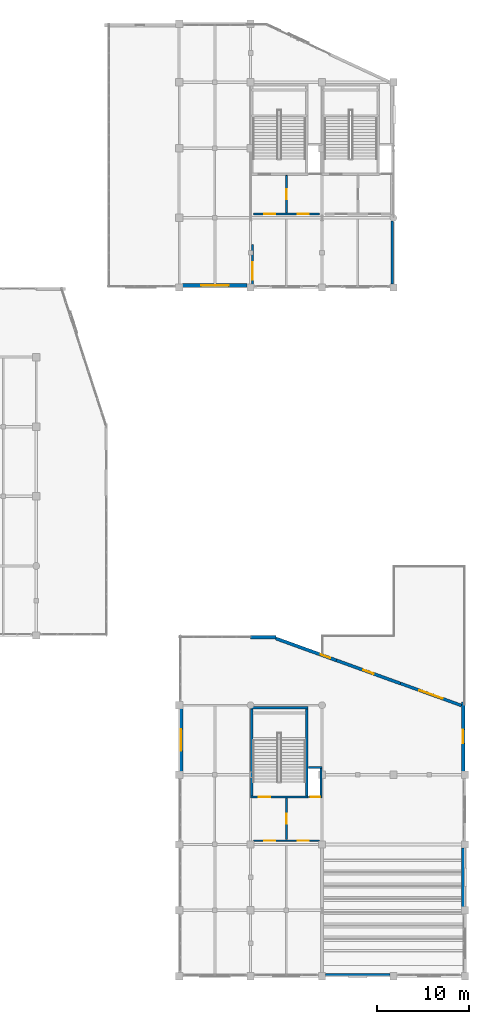
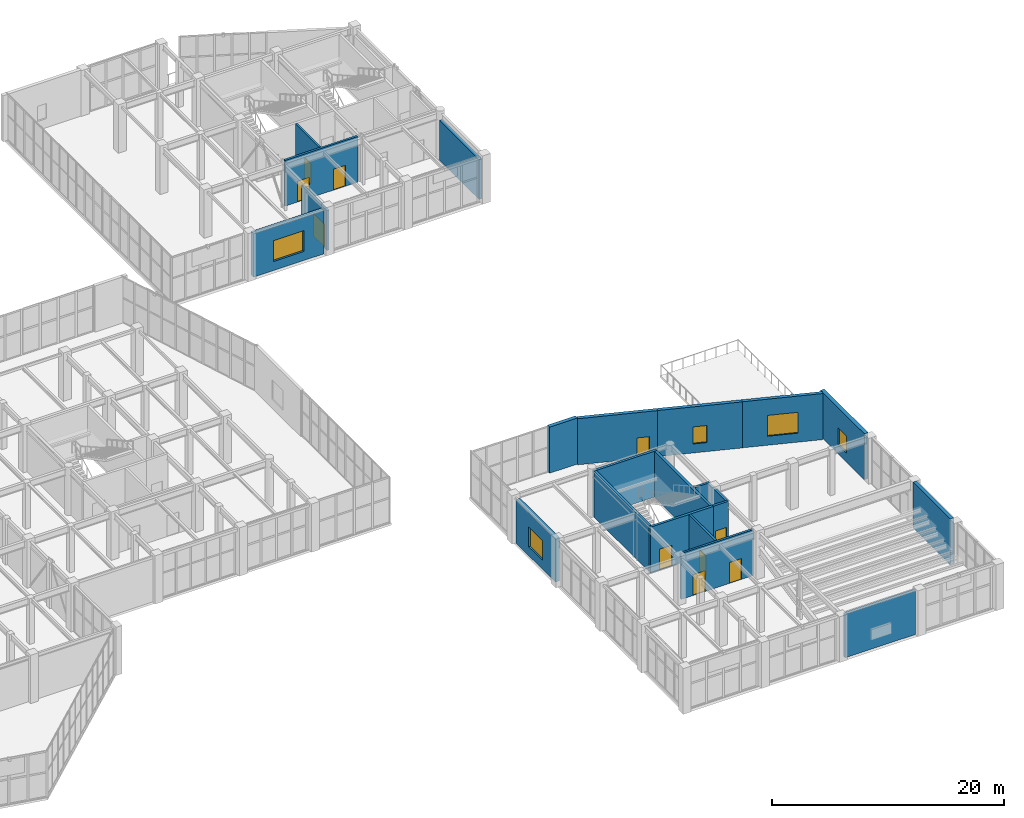
# One storey, part 117 of 128: 22 walls, 10 doors, 5 windows, 15 openings.
"""IFC4 building model written with IfcOpenShell, lengths in metres."""

from ifc_helpers import new_model, si_unit, direction, frame, frame_2d, origin, place, context, subcontext, project, spatial, rectangle, extrude, material, layer, layer_set, type_object, element, fill, save


model = new_model("IFC4")

# Units and contexts
model_context = context("Model", 3, precision=1e-05, world=origin(), true_north=direction((0.0, 1.0)))
body_context = subcontext(model_context, "Body", "Model", "MODEL_VIEW")
ifc_project = project(units=[si_unit("LENGTHUNIT", "METRE"), si_unit("AREAUNIT", "SQUARE_METRE"), si_unit("VOLUMEUNIT", "CUBIC_METRE"), si_unit("PLANEANGLEUNIT", "RADIAN"), si_unit("MASSUNIT", "GRAM", prefix="KILO")], contexts=[model_context])

# Site, building, storey
site_placement = place(None, origin())
site = spatial("IfcSite", under=ifc_project, at=site_placement, CompositionType="ELEMENT")
building_placement = place(site_placement, origin())
building = spatial("IfcBuilding", under=site, at=building_placement, Name="Xicomal Pleat Aquarium", CompositionType="ELEMENT")
storey_placement = place(building_placement, frame((0.0, 0.0, 5.39990234375)))
storey = spatial("IfcBuildingStorey", under=building, at=storey_placement, Name="L02", CompositionType="ELEMENT", Elevation=5.39990234375)

# Wall, opening, door
ifc_material_1 = material(Name="Concrete C40/50", Category="concrete")
ifc_layer_1 = layer(ifc_material_1, 0.219970703125)
ifc_layer_set_1 = layer_set([ifc_layer_1], Name="Concrete C40/50")
wall_type_1 = type_object("IfcWallType", Name="WAL-COR-220", PredefinedType="SHEAR", material=ifc_layer_set_1)
wall_1_placement = place(storey_placement, frame((147.89990234375, 20.389892578125, 0.0), z_axis=(0.0, 0.0, 1.0), x_axis=(1.0, 0.0, 0.0)))
wall_1 = element("IfcWall", 1, at=wall_1_placement, inside=storey, type_object=wall_type_1, Name="L02 LF-08 lift shaft wall CW-L02-C8-LS", PredefinedType="SHEAR", context=body_context, shape_type="SweptSolid", body=[
    extrude(rectangle(XDim=1.52001953125, YDim=0.219970703125, at=frame_2d((0.760009765625, 0.0))), origin(), (0.0, 0.0, 1.0), 4.840087890625),
])
opening_1_placement = place(wall_1_placement, frame((0.2099609375, 0.0, 0.0)))
opening_1 = element("IfcOpeningElement", 2, at=opening_1_placement, cuts=wall_1, Name="Opening LD-08-L02", PredefinedType="OPENING", context=body_context, shape_type="SweptSolid", body=[
    extrude(rectangle(XDim=1.10009765625, YDim=2.14990234375, at=frame_2d((0.550048828125, 1.074951171875))), frame((0.0, 0.119873046875, 0.0), z_axis=(0.0, -1.0, 0.0), x_axis=(1.0, 0.0, 0.0)), (0.0, 0.0, 1.0), 0.239990234375),
])
ifc_material_2 = material(Name="Brushed stainless steel 304", Category="steel")
door_type_1 = type_object("IfcDoorType", Name="DOR-LD-1100x2150", OperationType="DOUBLE_DOOR_SLIDING", PredefinedType="DOOR", material=ifc_material_2)
door_1_placement = place(opening_1_placement, origin())
door_1 = element("IfcDoor", 3, at=door_1_placement, inside=storey, type_object=door_type_1, Name="L02 LF-08 sliding lift landing door", OperationType="DOUBLE_DOOR_SLIDING", OverallHeight=2.14990234375, OverallWidth=1.10009765625, PredefinedType="DOOR", context=body_context, shape_type="SweptSolid", body=[
    extrude(rectangle(XDim=1.10009765625, YDim=2.14990234375, at=frame_2d((0.550048828125, 1.074951171875))), frame((0.0, 0.02490234375, 0.0), z_axis=(0.0, -1.0, 0.0), x_axis=(1.0, 0.0, 0.0)), (0.0, 0.0, 1.0), 0.050048828125),
])
fill(opening_1, door_1)

# Walls
wall_2_placement = place(storey_placement, frame((147.89990234375, 23.610107421875, 0.0), z_axis=(0.0, 0.0, 1.0), x_axis=(1.0, 0.0, 0.0)))
element("IfcWall", 4, at=wall_2_placement, inside=storey, type_object=wall_type_1, Name="L02 LF-08 lift shaft wall CW-L02-C8-LN", PredefinedType="SHEAR", context=body_context, shape_type="SweptSolid", body=[
    extrude(rectangle(XDim=1.52001953125, YDim=0.219970703125, at=frame_2d((0.760009765625, 0.0))), origin(), (0.0, 0.0, 1.0), 4.840087890625),
])
wall_3_placement = place(storey_placement, frame((149.31005859375, 20.5, 0.0), z_axis=(0.0, 0.0, 1.0), x_axis=(0.0, 1.0, 0.0)))
element("IfcWall", 5, at=wall_3_placement, inside=storey, type_object=wall_type_1, Name="L02 LF-08 lift shaft wall CW-L02-C8-LE", PredefinedType="SHEAR", context=body_context, shape_type="SweptSolid", body=[
    extrude(rectangle(XDim=3.0, YDim=0.219970703125, at=frame_2d((1.5, 0.0))), origin(), (0.0, 0.0, 1.0), 4.840087890625),
])

# Wall, opening, door
ifc_material_3 = material(Name="Concrete C40/50", Category="concrete")
ifc_layer_2 = layer(ifc_material_3, 0.25)
ifc_layer_set_2 = layer_set([ifc_layer_2], Name="Concrete C40/50")
wall_type_2 = type_object("IfcWallType", Name="WAL-COR-250", PredefinedType="SHEAR", material=ifc_layer_set_2)
wall_4_placement = place(storey_placement, frame((141.590087890625, 20.375, 0.0), z_axis=(0.0, 0.0, 1.0), x_axis=(1.0, 0.0, 0.0)))
wall_4 = element("IfcWall", 6, at=wall_4_placement, inside=storey, type_object=wall_type_2, Name="L02 CORE-8 stair shear wall CW-L02-C8-SS", PredefinedType="SHEAR", context=body_context, shape_type="SweptSolid", body=[
    extrude(rectangle(XDim=6.280029296875, YDim=0.25, at=frame_2d((3.14013671875, 0.0))), origin(), (0.0, 0.0, 1.0), 4.840087890625),
])
opening_2_placement = place(wall_4_placement, frame((0.89990234375, 0.0, 0.0)))
opening_2 = element("IfcOpeningElement", 7, at=opening_2_placement, cuts=wall_4, Name="Opening SD-08-L02", PredefinedType="OPENING", context=body_context, shape_type="SweptSolid", body=[
    extrude(rectangle(XDim=1.25, YDim=2.199951171875, at=frame_2d((0.625, 1.10009765625))), frame((0.0, 0.135009765625, 0.0), z_axis=(0.0, -1.0, 0.0), x_axis=(1.0, 0.0, 0.0)), (0.0, 0.0, 1.0), 0.27001953125),
])
ifc_material_4 = material(Name="Powder-coated steel fire door", Category="steel")
door_type_2 = type_object("IfcDoorType", Name="DOR-ST-1250x2200", OperationType="NOTDEFINED", PredefinedType="DOOR", material=ifc_material_4)
door_2_placement = place(opening_2_placement, origin())
door_2 = element("IfcDoor", 8, at=door_2_placement, inside=storey, type_object=door_type_2, Name="L02 ST-08 protected stair door", OperationType="SINGLE_SWING_LEFT", OverallHeight=2.199951171875, OverallWidth=1.25, PredefinedType="DOOR", context=body_context, shape_type="SweptSolid", body=[
    extrude(rectangle(XDim=1.25, YDim=2.199951171875, at=frame_2d((0.625, 1.10009765625))), frame((0.0, 0.02490234375, 0.0), z_axis=(0.0, -1.0, 0.0), x_axis=(1.0, 0.0, 0.0)), (0.0, 0.0, 1.0), 0.050048828125),
])
fill(opening_2, door_2)

# Walls
wall_5_placement = place(storey_placement, frame((141.590087890625, 30.125, 0.0), z_axis=(0.0, 0.0, 1.0), x_axis=(1.0, 0.0, 0.0)))
element("IfcWall", 9, at=wall_5_placement, inside=storey, type_object=wall_type_2, Name="L02 CORE-8 stair shear wall CW-L02-C8-SN", PredefinedType="SHEAR", context=body_context, shape_type="SweptSolid", body=[
    extrude(rectangle(XDim=6.280029296875, YDim=0.25, at=frame_2d((3.14013671875, 0.0))), origin(), (0.0, 0.0, 1.0), 4.840087890625),
])
for number, where, z_axis, x_axis, name in (
    (10, (141.715087890625, 20.5, 0.0), (0.0, 0.0, 1.0), (0.0, 1.0, 0.0), "L02 CORE-8 stair shear wall CW-L02-C8-SW"),
    (11, (147.7451171875, 20.5, 0.0), (0.0, 0.0, 1.0), (0.0, 1.0, 0.0), "L02 CORE-8 stair shear wall CW-L02-C8-SE"),
):
    element("IfcWall", number, at=place(storey_placement, frame(where, z_axis=z_axis, x_axis=x_axis)), inside=storey, type_object=wall_type_2, Name=name, PredefinedType="SHEAR", context=body_context, shape_type="SweptSolid", body=[
        extrude(rectangle(XDim=9.5, YDim=0.25, at=frame_2d((4.75, 0.0))), origin(), (0.0, 0.0, 1.0), 4.840087890625),
    ])
ifc_material_5 = material(Name="Volcanic basalt recinto masonry and concrete C40/50", Category="masonry")
ifc_layer_3 = layer(ifc_material_5, 0.35009765625)
ifc_layer_set_3 = layer_set([ifc_layer_3], Name="Volcanic basalt recinto masonry and concrete C40/50")
wall_type_3 = type_object("IfcWallType", Name="WAL-EXT-BAS-350", PredefinedType="SOLIDWALL", material=ifc_layer_set_3)
wall_6_placement = place(storey_placement, frame((164.824951171875, 14.81494140625, 0.0), z_axis=(0.0, 0.0, 1.0), x_axis=(0.0, -1.0, 0.0)))
element("IfcWall", 12, at=wall_6_placement, inside=storey, type_object=wall_type_3, Name="L02 exterior basalt-precast wall EW-L02-003", PredefinedType="SOLIDWALL", context=body_context, shape_type="SweptSolid", body=[
    extrude(rectangle(XDim=6.429931640625, YDim=0.35009765625, at=frame_2d((3.21484375, 0.0))), origin(), (0.0, 0.0, 1.0), 4.840087890625),
])

# Wall, opening, door
wall_7_placement = place(storey_placement, frame((144.360107421875, 37.68408203125, 0.0), z_axis=(0.0, 0.0, 1.0), x_axis=(0.940314417114, -0.340306915839, 0.0)))
wall_7 = element("IfcWall", 13, at=wall_7_placement, inside=storey, type_object=wall_type_3, Name="L02 exterior basalt-precast wall EW-L02-016", PredefinedType="SOLIDWALL", context=body_context, shape_type="SweptSolid", body=[
    extrude(rectangle(XDim=7.017822265625, YDim=0.35009765625, at=frame_2d((3.5087890625, 0.0))), origin(), (0.0, 0.0, 1.0), 4.860107421875),
])
opening_3_placement = place(wall_7_placement, frame((5.205078125, 0.0, 0.0)))
opening_3 = element("IfcOpeningElement", 14, at=opening_3_placement, cuts=wall_7, Name="Opening TD-L02-01", PredefinedType="OPENING", context=body_context, shape_type="SweptSolid", body=[
    extrude(rectangle(XDim=1.10009765625, YDim=2.199951171875, at=frame_2d((0.550048828125, 1.10009765625))), frame((0.0, 0.18505859375, 0.0), z_axis=(0.0, -1.0, 0.0), x_axis=(1.0, 0.0, 0.0)), (0.0, 0.0, 1.0), 0.3701171875),
])
ifc_material_6 = material(Name="Bronze anodized aluminium and laminated safety glass", Category="aluminium")
door_type_3 = type_object("IfcDoorType", Name="DOR-TER-1100x2200", OperationType="NOTDEFINED", PredefinedType="DOOR", material=ifc_material_6)
door_3_placement = place(opening_3_placement, origin())
door_3 = element("IfcDoor", 15, at=door_3_placement, inside=storey, type_object=door_type_3, Name="L02 outdoor court terrace door 1", OperationType="SINGLE_SWING_RIGHT", OverallHeight=2.199951171875, OverallWidth=1.10009765625, PredefinedType="DOOR", context=body_context, shape_type="SweptSolid", body=[
    extrude(rectangle(XDim=1.10009765625, YDim=2.199951171875, at=frame_2d((0.550048828125, 1.10009765625))), frame((0.0, 0.02490234375, 0.0), z_axis=(0.0, -1.0, 0.0), x_axis=(1.0, 0.0, 0.0)), (0.0, 0.0, 1.0), 0.050048828125),
])
fill(opening_3, door_3)

# Wall
ifc_material_7 = material(Name="Volcanic basalt recinto masonry and concrete C40/50", Category="masonry")
ifc_layer_4 = layer(ifc_material_7, 0.364990234375)
ifc_layer_set_4 = layer_set([ifc_layer_4], Name="Volcanic basalt recinto masonry and concrete C40/50")
wall_type_4 = type_object("IfcWallType", Name="WAL-EXT-BAS-365", PredefinedType="SOLIDWALL", material=ifc_layer_set_4)
wall_8_placement = place(storey_placement, frame((141.580078125, 37.818115234375, 0.0), z_axis=(0.0, 0.0, 1.0), x_axis=(1.0, 0.0, 0.0)))
element("IfcWall", 16, at=wall_8_placement, inside=storey, type_object=wall_type_4, Name="L02 exterior basalt-precast wall EW-L02-015", PredefinedType="SOLIDWALL", context=body_context, shape_type="SweptSolid", body=[
    extrude(rectangle(XDim=2.780029296875, YDim=0.364990234375, at=frame_2d((1.39013671875, 0.0))), origin(), (0.0, 0.0, 1.0), 4.860107421875),
])

# Wall, opening, window
ifc_material_8 = material(Name="Volcanic basalt recinto masonry and concrete C40/50", Category="masonry")
ifc_layer_5 = layer(ifc_material_8, 0.3798828125)
ifc_layer_set_5 = layer_set([ifc_layer_5], Name="Volcanic basalt recinto masonry and concrete C40/50")
wall_type_5 = type_object("IfcWallType", Name="WAL-EXT-BAS-380", PredefinedType="SOLIDWALL", material=ifc_layer_set_5)
wall_9_placement = place(storey_placement, frame((164.81005859375, 30.760009765625, 0.0), z_axis=(0.0, 0.0, 1.0), x_axis=(0.0, -1.0, 0.0)))
wall_9 = element("IfcWall", 17, at=wall_9_placement, inside=storey, type_object=wall_type_5, Name="L02 exterior basalt-precast wall EW-L02-001", PredefinedType="SOLIDWALL", context=body_context, shape_type="SweptSolid", body=[
    extrude(rectangle(XDim=7.574951171875, YDim=0.3798828125, at=frame_2d((3.78759765625, 0.0))), origin(), (0.0, 0.0, 1.0), 4.860107421875),
])
opening_4_placement = place(wall_9_placement, frame((3.0380859375, 0.0, 0.949951171875)))
opening_4 = element("IfcOpeningElement", 18, at=opening_4_placement, cuts=wall_9, Name="Opening WN-02", PredefinedType="OPENING", context=body_context, shape_type="SweptSolid", body=[
    extrude(rectangle(XDim=1.5, YDim=1.800048828125, at=frame_2d((0.75, 0.89990234375))), frame((0.0, 0.199951171875, 0.0), z_axis=(0.0, -1.0, 0.0), x_axis=(1.0, 0.0, 0.0)), (0.0, 0.0, 1.0), 0.39990234375),
])
ifc_material_9 = material(Name="Insulated low-E laminated glass", Category="glass")
window_type_1 = type_object("IfcWindowType", Name="WIN-EXT-1500x1800", PartitioningType="SINGLE_PANEL", PredefinedType="WINDOW", material=ifc_material_9)
window_1_placement = place(opening_4_placement, origin())
window_1 = element("IfcWindow", 19, at=window_1_placement, inside=storey, type_object=window_type_1, Name="L02 thermally broken low-E window 3", OverallHeight=1.800048828125, OverallWidth=1.5, PartitioningType="SINGLE_PANEL", PredefinedType="WINDOW", context=body_context, shape_type="SweptSolid", body=[
    extrude(rectangle(XDim=1.5, YDim=1.800048828125, at=frame_2d((0.75, 0.89990234375))), frame((0.0, 0.030029296875, 0.0), z_axis=(0.0, -1.0, 0.0), x_axis=(1.0, 0.0, 0.0)), (0.0, 0.0, 1.0), 0.06005859375),
])
fill(opening_4, window_1)

ifc_material_10 = material(Name="Volcanic basalt recinto masonry and concrete C40/50", Category="masonry")
ifc_layer_6 = layer(ifc_material_10, 0.419921875)
ifc_layer_set_6 = layer_set([ifc_layer_6], Name="Volcanic basalt recinto masonry and concrete C40/50")
wall_type_6 = type_object("IfcWallType", Name="WAL-EXT-BAS-420", PredefinedType="SOLIDWALL", material=ifc_layer_set_6)
wall_10_placement = place(storey_placement, frame((134.010009765625, 23.18505859375, 0.0), z_axis=(0.0, 0.0, 1.0), x_axis=(0.0, 1.0, 0.0)))
wall_10 = element("IfcWall", 20, at=wall_10_placement, inside=storey, type_object=wall_type_6, Name="L02 exterior basalt-precast wall EW-L02-012", PredefinedType="SOLIDWALL", context=body_context, shape_type="SweptSolid", body=[
    extrude(rectangle(XDim=6.829833984375, YDim=0.419921875, at=frame_2d((3.4150390625, 0.0))), origin(), (0.0, 0.0, 1.0), 4.585205078125),
])
opening_5_placement = place(wall_10_placement, frame((2.215087890625, 0.0, 0.949951171875)))
opening_5 = element("IfcOpeningElement", 21, at=opening_5_placement, cuts=wall_10, Name="Opening WN-05", PredefinedType="OPENING", context=body_context, shape_type="SweptSolid", body=[
    extrude(rectangle(XDim=2.39990234375, YDim=2.10009765625, at=frame_2d((1.199951171875, 1.050048828125))), frame((0.0, 0.219970703125, 0.0), z_axis=(0.0, -1.0, 0.0), x_axis=(1.0, 0.0, 0.0)), (0.0, 0.0, 1.0), 0.43994140625),
])
ifc_material_11 = material(Name="Insulated low-E laminated glass", Category="glass")
window_type_2 = type_object("IfcWindowType", Name="WIN-EXT-2400x2100", PartitioningType="DOUBLE_PANEL_VERTICAL", PredefinedType="WINDOW", material=ifc_material_11)
window_2_placement = place(opening_5_placement, origin())
window_2 = element("IfcWindow", 22, at=window_2_placement, inside=storey, type_object=window_type_2, Name="L02 thermally broken low-E window 4", OverallHeight=2.10009765625, OverallWidth=2.39990234375, PartitioningType="SINGLE_PANEL", PredefinedType="WINDOW", context=body_context, shape_type="SweptSolid", body=[
    extrude(rectangle(XDim=2.39990234375, YDim=2.10009765625, at=frame_2d((1.199951171875, 1.050048828125))), frame((0.0, 0.030029296875, 0.0), z_axis=(0.0, -1.0, 0.0), x_axis=(1.0, 0.0, 0.0)), (0.0, 0.0, 1.0), 0.06005859375),
])
fill(opening_5, window_2)

ifc_material_12 = material(Name="Volcanic basalt recinto masonry and concrete C40/50", Category="masonry")
ifc_layer_7 = layer(ifc_material_12, 0.445068359375)
ifc_layer_set_7 = layer_set([ifc_layer_7], Name="Volcanic basalt recinto masonry and concrete C40/50")
wall_type_7 = type_object("IfcWallType", Name="WAL-EXT-BAS-445", PredefinedType="SOLIDWALL", material=ifc_layer_set_7)
wall_11_placement = place(storey_placement, frame((141.215087890625, 76.221923828125, 0.0), z_axis=(0.0, 0.0, 1.0), x_axis=(-1.0, 0.0, 0.0)))
wall_11 = element("IfcWall", 23, at=wall_11_placement, inside=storey, type_object=wall_type_7, Name="L02 exterior basalt-precast wall EW-L02-024", PredefinedType="SOLIDWALL", context=body_context, shape_type="SweptSolid", body=[
    extrude(rectangle(XDim=7.030029296875, YDim=0.445068359375, at=frame_2d((3.51513671875, 0.0))), origin(), (0.0, 0.0, 1.0), 4.565185546875),
])
opening_6_placement = place(wall_11_placement, frame((2.014892578125, 0.0, 0.949951171875)))
opening_6 = element("IfcOpeningElement", 24, at=opening_6_placement, cuts=wall_11, Name="Opening WN-08", PredefinedType="OPENING", context=body_context, shape_type="SweptSolid", body=[
    extrude(rectangle(XDim=3.0, YDim=2.199951171875, at=frame_2d((1.5, 1.10009765625))), frame((0.0, 0.232421875, 0.0), z_axis=(0.0, -1.0, 0.0), x_axis=(1.0, 0.0, 0.0)), (0.0, 0.0, 1.0), 0.465087890625),
])
ifc_material_13 = material(Name="Insulated low-E laminated glass", Category="glass")
window_type_3 = type_object("IfcWindowType", Name="WIN-EXT-3000x2200", PartitioningType="DOUBLE_PANEL_VERTICAL", PredefinedType="WINDOW", material=ifc_material_13)
window_3_placement = place(opening_6_placement, origin())
window_3 = element("IfcWindow", 25, at=window_3_placement, inside=storey, type_object=window_type_3, Name="L02 thermally broken low-E window 7", OverallHeight=2.199951171875, OverallWidth=3.0, PartitioningType="SINGLE_PANEL", PredefinedType="WINDOW", context=body_context, shape_type="SweptSolid", body=[
    extrude(rectangle(XDim=3.0, YDim=2.199951171875, at=frame_2d((1.5, 1.10009765625))), frame((0.0, 0.030029296875, 0.0), z_axis=(0.0, -1.0, 0.0), x_axis=(1.0, 0.0, 0.0)), (0.0, 0.0, 1.0), 0.06005859375),
])
fill(opening_6, window_3)

# Walls
ifc_material_14 = material(Name="Precast concrete C40/50", Category="concrete")
ifc_layer_8 = layer(ifc_material_14, 0.2900390625)
ifc_layer_set_8 = layer_set([ifc_layer_8], Name="Precast concrete C40/50")
wall_type_8 = type_object("IfcWallType", Name="WAL-EXT-PRC-290", PredefinedType="SOLIDWALL", material=ifc_layer_set_8)
wall_12_placement = place(storey_placement, frame((157.054931640625, 83.239990234375, 0.0), z_axis=(0.0, 0.0, 1.0), x_axis=(0.0, -1.0, 0.0)))
element("IfcWall", 26, at=wall_12_placement, inside=storey, type_object=wall_type_8, Name="L02 exterior basalt-precast wall EW-L02-021", PredefinedType="SOLIDWALL", context=body_context, shape_type="SweptSolid", body=[
    extrude(rectangle(XDim=6.85498046875, YDim=0.2900390625, at=frame_2d((3.427490234375, 0.0))), origin(), (0.0, 0.0, 1.0), 4.197998046875),
])
ifc_material_15 = material(Name="Precast concrete C40/50", Category="concrete")
ifc_layer_9 = layer(ifc_material_15, 0.31201171875)
ifc_layer_set_9 = layer_set([ifc_layer_9], Name="Precast concrete C40/50")
wall_type_9 = type_object("IfcWallType", Name="WAL-EXT-PRC-312", PredefinedType="SOLIDWALL", material=ifc_layer_set_9)
wall_13_placement = place(storey_placement, frame((156.81494140625, 0.9560546875, 0.0), z_axis=(0.0, 0.0, 1.0), x_axis=(-1.0, 0.0, 0.0)))
element("IfcWall", 27, at=wall_13_placement, inside=storey, type_object=wall_type_9, Name="L02 exterior basalt-precast wall EW-L02-006", PredefinedType="SOLIDWALL", context=body_context, shape_type="SweptSolid", body=[
    extrude(rectangle(XDim=7.030029296875, YDim=0.31201171875, at=frame_2d((3.51513671875, 0.0))), origin(), (0.0, 0.0, 1.0), 4.585205078125),
])

# Wall, opening, window
ifc_material_16 = material(Name="Precast concrete C40/50", Category="concrete")
ifc_layer_10 = layer(ifc_material_16, 0.324951171875)
ifc_layer_set_10 = layer_set([ifc_layer_10], Name="Precast concrete C40/50")
wall_type_10 = type_object("IfcWallType", Name="WAL-EXT-PRC-325", PredefinedType="SOLIDWALL", material=ifc_layer_set_10)
wall_14_placement = place(storey_placement, frame((157.964111328125, 32.77294921875, 0.0), z_axis=(0.0, 0.0, 1.0), x_axis=(0.940359545629, -0.340182193751, 0.0)))
wall_14 = element("IfcWall", 28, at=wall_14_placement, inside=storey, type_object=wall_type_10, Name="L02 exterior basalt-precast wall EW-L02-018", PredefinedType="SOLIDWALL", context=body_context, shape_type="SweptSolid", body=[
    extrude(rectangle(XDim=7.07275390625, YDim=0.324951171875, at=frame_2d((3.536376953125, 0.0))), origin(), (0.0, 0.0, 1.0), 4.860107421875),
])
opening_7_placement = place(wall_14_placement, frame((2.18603515625, 0.0, 0.949951171875)))
opening_7 = element("IfcOpeningElement", 29, at=opening_7_placement, cuts=wall_14, Name="Opening WN-07", PredefinedType="OPENING", context=body_context, shape_type="SweptSolid", body=[
    extrude(rectangle(XDim=2.699951171875, YDim=2.199951171875, at=frame_2d((1.35009765625, 1.10009765625))), frame((0.0, 0.17236328125, 0.0), z_axis=(0.0, -1.0, 0.0), x_axis=(1.0, 0.0, 0.0)), (0.0, 0.0, 1.0), 0.344970703125),
])
ifc_material_17 = material(Name="Insulated low-E laminated glass", Category="glass")
window_type_4 = type_object("IfcWindowType", Name="WIN-EXT-2700x2200", PartitioningType="DOUBLE_PANEL_VERTICAL", PredefinedType="WINDOW", material=ifc_material_17)
window_4_placement = place(opening_7_placement, origin())
window_4 = element("IfcWindow", 30, at=window_4_placement, inside=storey, type_object=window_type_4, Name="L02 thermally broken low-E window 6", OverallHeight=2.199951171875, OverallWidth=2.699951171875, PartitioningType="SINGLE_PANEL", PredefinedType="WINDOW", context=body_context, shape_type="SweptSolid", body=[
    extrude(rectangle(XDim=2.699951171875, YDim=2.199951171875, at=frame_2d((1.35009765625, 1.10009765625))), frame((0.0, 0.030029296875, 0.0), z_axis=(0.0, -1.0, 0.0), x_axis=(1.0, 0.0, 0.0)), (0.0, 0.0, 1.0), 0.06005859375),
])
fill(opening_7, window_4)

ifc_material_18 = material(Name="Precast concrete C40/50", Category="concrete")
ifc_layer_11 = layer(ifc_material_18, 0.340087890625)
ifc_layer_set_11 = layer_set([ifc_layer_11], Name="Precast concrete C40/50")
wall_type_11 = type_object("IfcWallType", Name="WAL-EXT-PRC-340", PredefinedType="SOLIDWALL", material=ifc_layer_set_11)
wall_15_placement = place(storey_placement, frame((150.9609375, 35.300048828125, 0.0), z_axis=(0.0, 0.0, 1.0), x_axis=(0.940289377147, -0.340376096729, 0.0)))
wall_15 = element("IfcWall", 31, at=wall_15_placement, inside=storey, type_object=wall_type_11, Name="L02 exterior basalt-precast wall EW-L02-017", PredefinedType="SOLIDWALL", context=body_context, shape_type="SweptSolid", body=[
    extrude(rectangle(XDim=7.444580078125, YDim=0.340087890625, at=frame_2d((3.72216796875, 0.0))), origin(), (0.0, 0.0, 1.0), 4.860107421875),
])
opening_8_placement = place(wall_15_placement, frame((3.1220703125, 0.0, 0.949951171875)))
opening_8 = element("IfcOpeningElement", 32, at=opening_8_placement, cuts=wall_15, Name="Opening WN-01", PredefinedType="OPENING", context=body_context, shape_type="SweptSolid", body=[
    extrude(rectangle(XDim=1.199951171875, YDim=1.800048828125, at=frame_2d((0.60009765625, 0.89990234375))), frame((0.0, 0.179931640625, 0.0), z_axis=(0.0, -1.0, 0.0), x_axis=(1.0, 0.0, 0.0)), (0.0, 0.0, 1.0), 0.360107421875),
])
ifc_material_19 = material(Name="Insulated low-E laminated glass", Category="glass")
window_type_5 = type_object("IfcWindowType", Name="WIN-EXT-1200x1800", PartitioningType="SINGLE_PANEL", PredefinedType="WINDOW", material=ifc_material_19)
window_5_placement = place(opening_8_placement, origin())
window_5 = element("IfcWindow", 33, at=window_5_placement, inside=storey, type_object=window_type_5, Name="L02 thermally broken low-E window 5", OverallHeight=1.800048828125, OverallWidth=1.199951171875, PartitioningType="SINGLE_PANEL", PredefinedType="WINDOW", context=body_context, shape_type="SweptSolid", body=[
    extrude(rectangle(XDim=1.199951171875, YDim=1.800048828125, at=frame_2d((0.60009765625, 0.89990234375))), frame((0.0, 0.030029296875, 0.0), z_axis=(0.0, -1.0, 0.0), x_axis=(1.0, 0.0, 0.0)), (0.0, 0.0, 1.0), 0.06005859375),
])
fill(opening_8, window_5)

# Wall, opening, door
ifc_material_20 = material(Name="Acoustic double-stud drywall partition", Category="gypsum")
ifc_layer_12 = layer(ifc_material_20, 0.195068359375)
ifc_layer_set_12 = layer_set([ifc_layer_12], Name="Acoustic double-stud drywall partition")
wall_type_12 = type_object("IfcWallType", Name="WAL-PRT-195", PredefinedType="PARTITIONING", material=ifc_layer_set_12)
wall_16_placement = place(storey_placement, frame((145.52490234375, 84.14990234375, 0.0), z_axis=(0.0, 0.0, 1.0), x_axis=(0.0, 1.0, 0.0)))
wall_16 = element("IfcWall", 34, at=wall_16_placement, inside=storey, type_object=wall_type_12, Name="L02 firefighting lobby smoke divider 5", PredefinedType="PARTITIONING", context=body_context, shape_type="SweptSolid", body=[
    extrude(rectangle(XDim=4.10009765625, YDim=0.195068359375, at=frame_2d((2.050048828125, 0.0))), origin(), (0.0, 0.0, 1.0), 4.820068359375),
])
opening_9_placement = place(wall_16_placement, frame((1.5, 0.0, 0.0)))
opening_9 = element("IfcOpeningElement", 35, at=opening_9_placement, cuts=wall_16, Name="Opening FD-05C-L02", PredefinedType="OPENING", context=body_context, shape_type="SweptSolid", body=[
    extrude(rectangle(XDim=1.10009765625, YDim=2.14990234375, at=frame_2d((0.550048828125, 1.074951171875))), frame((0.0, 0.107421875, 0.0), z_axis=(0.0, -1.0, 0.0), x_axis=(1.0, 0.0, 0.0)), (0.0, 0.0, 1.0), 0.215087890625),
])
ifc_material_21 = material(Name="Powder-coated steel fire door", Category="steel")
door_type_4 = type_object("IfcDoorType", Name="DOR-LAB-1100x2150", OperationType="NOTDEFINED", PredefinedType="DOOR", material=ifc_material_21)
door_4_placement = place(opening_9_placement, origin())
door_4 = element("IfcDoor", 36, at=door_4_placement, inside=storey, type_object=door_type_4, Name="L02 lobby interconnecting fire door 5C", OperationType="SINGLE_SWING_LEFT", OverallHeight=2.14990234375, OverallWidth=1.10009765625, PredefinedType="DOOR", context=body_context, shape_type="SweptSolid", body=[
    extrude(rectangle(XDim=1.10009765625, YDim=2.14990234375, at=frame_2d((0.550048828125, 1.074951171875))), frame((0.0, 0.02490234375, 0.0), z_axis=(0.0, -1.0, 0.0), x_axis=(1.0, 0.0, 0.0)), (0.0, 0.0, 1.0), 0.050048828125),
])
fill(opening_9, door_4)

wall_17_placement = place(storey_placement, frame((145.52490234375, 15.75, 0.0), z_axis=(0.0, 0.0, 1.0), x_axis=(0.0, 1.0, 0.0)))
wall_17 = element("IfcWall", 37, at=wall_17_placement, inside=storey, type_object=wall_type_12, Name="L02 firefighting lobby smoke divider 8", PredefinedType="PARTITIONING", context=body_context, shape_type="SweptSolid", body=[
    extrude(rectangle(XDim=4.5, YDim=0.195068359375, at=frame_2d((2.25, 0.0))), origin(), (0.0, 0.0, 1.0), 4.840087890625),
])
opening_10_placement = place(wall_17_placement, frame((1.699951171875, 0.0, 0.0)))
opening_10 = element("IfcOpeningElement", 38, at=opening_10_placement, cuts=wall_17, Name="Opening FD-08C-L02", PredefinedType="OPENING", context=body_context, shape_type="SweptSolid", body=[
    extrude(rectangle(XDim=1.10009765625, YDim=2.14990234375, at=frame_2d((0.550048828125, 1.074951171875))), frame((0.0, 0.107421875, 0.0), z_axis=(0.0, -1.0, 0.0), x_axis=(1.0, 0.0, 0.0)), (0.0, 0.0, 1.0), 0.215087890625),
])
door_5_placement = place(opening_10_placement, origin())
door_5 = element("IfcDoor", 39, at=door_5_placement, inside=storey, type_object=door_type_4, Name="L02 lobby interconnecting fire door 8C", OperationType="SINGLE_SWING_RIGHT", OverallHeight=2.14990234375, OverallWidth=1.10009765625, PredefinedType="DOOR", context=body_context, shape_type="SweptSolid", body=[
    extrude(rectangle(XDim=1.10009765625, YDim=2.14990234375, at=frame_2d((0.550048828125, 1.074951171875))), frame((0.0, 0.02490234375, 0.0), z_axis=(0.0, -1.0, 0.0), x_axis=(1.0, 0.0, 0.0)), (0.0, 0.0, 1.0), 0.050048828125),
])
fill(opening_10, door_5)

# Wall, openings, doors
ifc_material_22 = material(Name="Fire-rated gypsum and mineral-wool partition", Category="gypsum")
ifc_layer_13 = layer(ifc_material_22, 0.2099609375)
ifc_layer_set_13 = layer_set([ifc_layer_13], Name="Fire-rated gypsum and mineral-wool partition")
wall_type_13 = type_object("IfcWallType", Name="WAL-PRT-210", PredefinedType="PARTITIONING", material=ifc_layer_set_13)
wall_18_placement = place(storey_placement, frame((141.89990234375, 84.0, 0.0), z_axis=(0.0, 0.0, 1.0), x_axis=(1.0, 0.0, 0.0)))
wall_18 = element("IfcWall", 40, at=wall_18_placement, inside=storey, type_object=wall_type_13, Name="L02 CORE-5 lobby fire enclosure wall", PredefinedType="PARTITIONING", context=body_context, shape_type="SweptSolid", body=[
    extrude(rectangle(XDim=7.25, YDim=0.2099609375, at=frame_2d((3.625, 0.0))), origin(), (0.0, 0.0, 1.0), 4.820068359375),
])
opening_11_placement = place(wall_18_placement, frame((1.2119140625, 0.0, 0.0)))
opening_11 = element("IfcOpeningElement", 41, at=opening_11_placement, cuts=wall_18, Name="Opening FD-05A-L02", PredefinedType="OPENING", context=body_context, shape_type="SweptSolid", body=[
    extrude(rectangle(XDim=1.199951171875, YDim=2.199951171875, at=frame_2d((0.60009765625, 1.10009765625))), frame((0.0, 0.114990234375, 0.0), z_axis=(0.0, -1.0, 0.0), x_axis=(1.0, 0.0, 0.0)), (0.0, 0.0, 1.0), 0.22998046875),
])
opening_12_placement = place(wall_18_placement, frame((4.837890625, 0.0, 0.0)))
opening_12 = element("IfcOpeningElement", 42, at=opening_12_placement, cuts=wall_18, Name="Opening FD-05B-L02", PredefinedType="OPENING", context=body_context, shape_type="SweptSolid", body=[
    extrude(rectangle(XDim=1.199951171875, YDim=2.199951171875, at=frame_2d((0.60009765625, 1.10009765625))), frame((0.0, 0.114990234375, 0.0), z_axis=(0.0, -1.0, 0.0), x_axis=(1.0, 0.0, 0.0)), (0.0, 0.0, 1.0), 0.22998046875),
])
ifc_material_23 = material(Name="Powder-coated steel fire door", Category="steel")
door_type_5 = type_object("IfcDoorType", Name="DOR-FFL-1200x2200", OperationType="NOTDEFINED", PredefinedType="DOOR", material=ifc_material_23)
door_6_placement = place(opening_11_placement, origin())
door_6 = element("IfcDoor", 43, at=door_6_placement, inside=storey, type_object=door_type_5, Name="L02 firefighting lobby door 5A", OperationType="SINGLE_SWING_LEFT", OverallHeight=2.199951171875, OverallWidth=1.199951171875, PredefinedType="DOOR", context=body_context, shape_type="SweptSolid", body=[
    extrude(rectangle(XDim=1.199951171875, YDim=2.199951171875, at=frame_2d((0.60009765625, 1.10009765625))), frame((0.0, 0.02490234375, 0.0), z_axis=(0.0, -1.0, 0.0), x_axis=(1.0, 0.0, 0.0)), (0.0, 0.0, 1.0), 0.050048828125),
])
fill(opening_11, door_6)
door_7_placement = place(opening_12_placement, origin())
door_7 = element("IfcDoor", 44, at=door_7_placement, inside=storey, type_object=door_type_5, Name="L02 lift lobby door 5B", OperationType="SINGLE_SWING_RIGHT", OverallHeight=2.199951171875, OverallWidth=1.199951171875, PredefinedType="DOOR", context=body_context, shape_type="SweptSolid", body=[
    extrude(rectangle(XDim=1.199951171875, YDim=2.199951171875, at=frame_2d((0.60009765625, 1.10009765625))), frame((0.0, 0.02490234375, 0.0), z_axis=(0.0, -1.0, 0.0), x_axis=(1.0, 0.0, 0.0)), (0.0, 0.0, 1.0), 0.050048828125),
])
fill(opening_12, door_7)

wall_19_placement = place(storey_placement, frame((141.89990234375, 15.60009765625, 0.0), z_axis=(0.0, 0.0, 1.0), x_axis=(1.0, 0.0, 0.0)))
wall_19 = element("IfcWall", 45, at=wall_19_placement, inside=storey, type_object=wall_type_13, Name="L02 CORE-8 lobby fire enclosure wall", PredefinedType="PARTITIONING", context=body_context, shape_type="SweptSolid", body=[
    extrude(rectangle(XDim=7.25, YDim=0.2099609375, at=frame_2d((3.625, 0.0))), origin(), (0.0, 0.0, 1.0), 4.840087890625),
])
opening_13_placement = place(wall_19_placement, frame((1.2119140625, 0.0, 0.0)))
opening_13 = element("IfcOpeningElement", 46, at=opening_13_placement, cuts=wall_19, Name="Opening FD-08A-L02", PredefinedType="OPENING", context=body_context, shape_type="SweptSolid", body=[
    extrude(rectangle(XDim=1.199951171875, YDim=2.199951171875, at=frame_2d((0.60009765625, 1.10009765625))), frame((0.0, 0.114990234375, 0.0), z_axis=(0.0, -1.0, 0.0), x_axis=(1.0, 0.0, 0.0)), (0.0, 0.0, 1.0), 0.22998046875),
])
opening_14_placement = place(wall_19_placement, frame((4.837890625, 0.0, 0.0)))
opening_14 = element("IfcOpeningElement", 47, at=opening_14_placement, cuts=wall_19, Name="Opening FD-08B-L02", PredefinedType="OPENING", context=body_context, shape_type="SweptSolid", body=[
    extrude(rectangle(XDim=1.199951171875, YDim=2.199951171875, at=frame_2d((0.60009765625, 1.10009765625))), frame((0.0, 0.114990234375, 0.0), z_axis=(0.0, -1.0, 0.0), x_axis=(1.0, 0.0, 0.0)), (0.0, 0.0, 1.0), 0.22998046875),
])
door_8_placement = place(opening_13_placement, origin())
door_8 = element("IfcDoor", 48, at=door_8_placement, inside=storey, type_object=door_type_5, Name="L02 firefighting lobby door 8A", OperationType="SINGLE_SWING_RIGHT", OverallHeight=2.199951171875, OverallWidth=1.199951171875, PredefinedType="DOOR", context=body_context, shape_type="SweptSolid", body=[
    extrude(rectangle(XDim=1.199951171875, YDim=2.199951171875, at=frame_2d((0.60009765625, 1.10009765625))), frame((0.0, 0.02490234375, 0.0), z_axis=(0.0, -1.0, 0.0), x_axis=(1.0, 0.0, 0.0)), (0.0, 0.0, 1.0), 0.050048828125),
])
fill(opening_13, door_8)
door_9_placement = place(opening_14_placement, origin())
door_9 = element("IfcDoor", 49, at=door_9_placement, inside=storey, type_object=door_type_5, Name="L02 lift lobby door 8B", OperationType="SINGLE_SWING_LEFT", OverallHeight=2.199951171875, OverallWidth=1.199951171875, PredefinedType="DOOR", context=body_context, shape_type="SweptSolid", body=[
    extrude(rectangle(XDim=1.199951171875, YDim=2.199951171875, at=frame_2d((0.60009765625, 1.10009765625))), frame((0.0, 0.02490234375, 0.0), z_axis=(0.0, -1.0, 0.0), x_axis=(1.0, 0.0, 0.0)), (0.0, 0.0, 1.0), 0.050048828125),
])
fill(opening_14, door_9)

# Wall, opening, door
ifc_material_24 = material(Name="Fire-rated gypsum and mineral-wool partition", Category="gypsum")
ifc_layer_14 = layer(ifc_material_24, 0.22509765625)
ifc_layer_set_14 = layer_set([ifc_layer_14], Name="Fire-rated gypsum and mineral-wool partition")
wall_type_14 = type_object("IfcWallType", Name="WAL-PRT-225", PredefinedType="PARTITIONING", material=ifc_layer_set_14)
wall_20_placement = place(storey_placement, frame((141.800048828125, 80.679931640625, 0.0), z_axis=(0.0, 0.0, 1.0), x_axis=(0.0, -1.0, 0.0)))
wall_20 = element("IfcWall", 50, at=wall_20_placement, inside=storey, type_object=wall_type_14, Name="L02 interior partition PT-L02-050", PredefinedType="PARTITIONING", context=body_context, shape_type="SweptSolid", body=[
    extrude(rectangle(XDim=4.3798828125, YDim=0.22509765625, at=frame_2d((2.18994140625, 0.0))), origin(), (0.0, 0.0, 1.0), 4.197998046875),
])
opening_15_placement = place(wall_20_placement, frame((1.94091796875, 0.0, 0.0)))
opening_15 = element("IfcOpeningElement", 51, at=opening_15_placement, cuts=wall_20, Name="Opening DR-L02-027", PredefinedType="OPENING", context=body_context, shape_type="SweptSolid", body=[
    extrude(rectangle(XDim=1.89990234375, YDim=2.39990234375, at=frame_2d((0.949951171875, 1.199951171875))), frame((0.0, 0.12255859375, 0.0), z_axis=(0.0, -1.0, 0.0), x_axis=(1.0, 0.0, 0.0)), (0.0, 0.0, 1.0), 0.2451171875),
])
ifc_material_25 = material(Name="Powder-coated steel fire door", Category="steel")
door_type_6 = type_object("IfcDoorType", Name="DOR-INT-1900x2400", OperationType="DOUBLE_DOOR_SINGLE_SWING", PredefinedType="DOOR", material=ifc_material_25)
door_10_placement = place(opening_15_placement, origin())
door_10 = element("IfcDoor", 52, at=door_10_placement, inside=storey, type_object=door_type_6, Name="L02 Life Support Protein Skimmer Deck door DR-L02-027", OperationType="DOUBLE_DOOR_SINGLE_SWING", OverallHeight=2.39990234375, OverallWidth=1.89990234375, PredefinedType="DOOR", context=body_context, shape_type="SweptSolid", body=[
    extrude(rectangle(XDim=1.89990234375, YDim=2.39990234375, at=frame_2d((0.949951171875, 1.199951171875))), frame((0.0, 0.02490234375, 0.0), z_axis=(0.0, -1.0, 0.0), x_axis=(1.0, 0.0, 0.0)), (0.0, 0.0, 1.0), 0.050048828125),
])
fill(opening_15, door_10)

save(model, "model.ifc")
